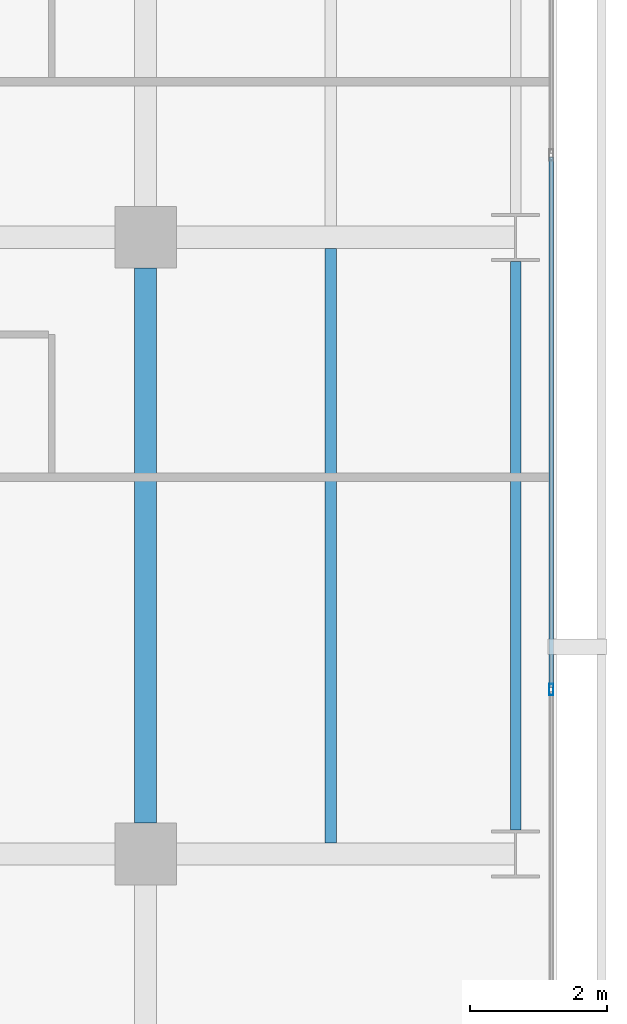
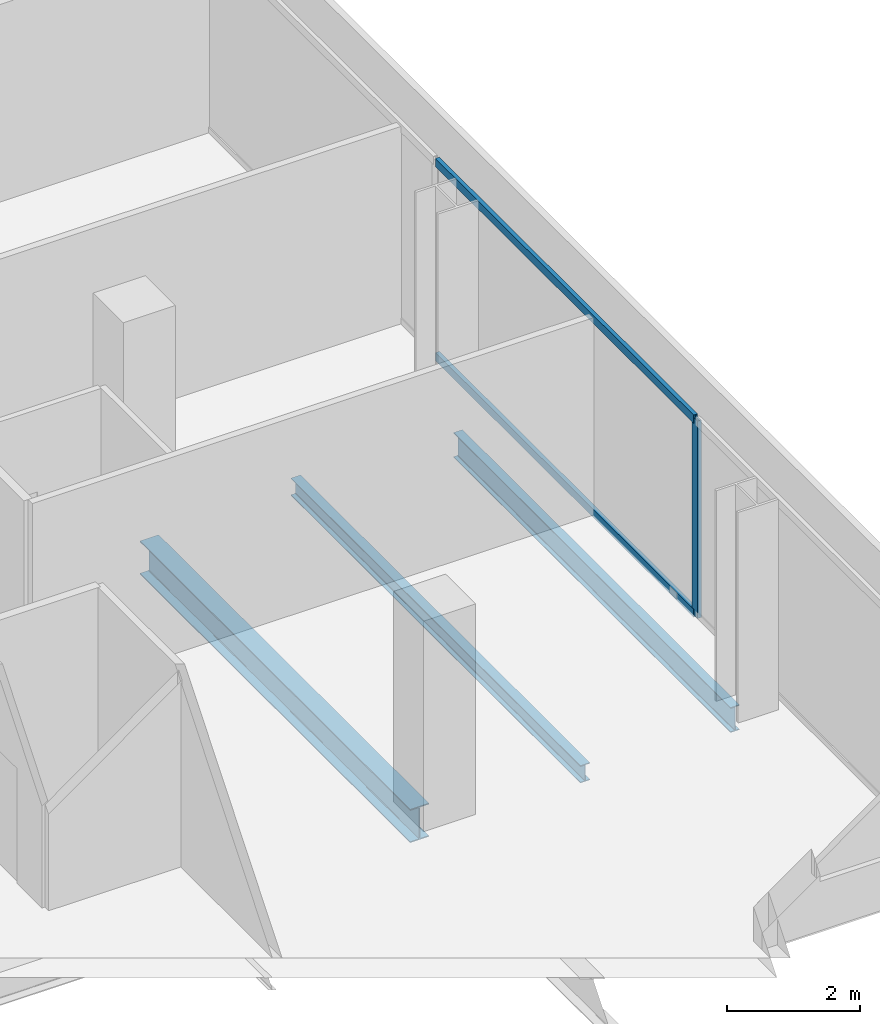
# One storey, part 17 of 40: 3 beams, 3 members, 1 element without a shape of its own.
"""IFC4 building model written with IfcOpenShell, lengths in metres."""

from ifc_helpers import new_model, si_unit, direction, frame, origin, origin_2d, place, context, subcontext, project, spatial, hollow_rectangle, i_section, extrude, material, layer, layer_set, material_profile, profile_set, type_object, element, aggregate, save


model = new_model("IFC4")

# Units and contexts
model_context = context("Model", 3, precision=1e-05, world=origin(), true_north=direction((0.0, 1.0)))
body_context = subcontext(model_context, "Body", "Model", "MODEL_VIEW")
ifc_project = project(units=[si_unit("LENGTHUNIT", "METRE"), si_unit("AREAUNIT", "SQUARE_METRE"), si_unit("VOLUMEUNIT", "CUBIC_METRE"), si_unit("PLANEANGLEUNIT", "RADIAN"), si_unit("MASSUNIT", "GRAM", prefix="KILO")], contexts=[model_context])

# Site, building, storey
site_placement = place(None, origin())
site = spatial("IfcSite", under=ifc_project, at=site_placement, CompositionType="ELEMENT")
building_placement = place(site_placement, origin())
building = spatial("IfcBuilding", under=site, at=building_placement, Name="Maruvema Waterfront Hotel and Observation Tower", CompositionType="ELEMENT")
storey_placement = place(building_placement, frame((0.0, 0.0, 96.25)))
storey = spatial("IfcBuildingStorey", under=building, at=storey_placement, Name="L23", CompositionType="ELEMENT", Elevation=96.25)

# Curtain wall, members
ifc_material_1 = material(Name="Anodised bronze aluminium and solar-control low-E IGU", Category="aluminium")
ifc_layer = layer(ifc_material_1, 0.159912109375, Name="Zone 1 Bronze Inner Thermal Curtain Wall System CW-02")
ifc_layer_set = layer_set([ifc_layer], Name="Anodised bronze aluminium and solar-control low-E IGU")
curtain_wall_type = type_object("IfcCurtainWallType", Name="Zone 1 Bronze Inner Thermal Curtain Wall System CW-02", PredefinedType="USERDEFINED", material=ifc_layer_set)
curtain_wall_placement = place(storey_placement, origin())
curtain_wall = element("IfcCurtainWall", 1, at=curtain_wall_placement, inside=storey, type_object=curtain_wall_type, Name="L23 Curtain Wall CW-L23-E", ObjectType="UNITISED CURTAIN WALL", PredefinedType="USERDEFINED")
ifc_material_2 = material(Name="Anodised architectural bronze aluminium", Category="aluminium")
ifc_material_profile_1 = material_profile(ifc_material_2, hollow_rectangle(XDim=0.070068359375, YDim=0.14990234375, WallThickness=0.00390625, at=origin_2d()), Name="ALU-T70x150")
ifc_profile_set_1 = profile_set([ifc_material_profile_1], Name="Anodised architectural bronze aluminium")
member_type_1 = type_object("IfcMemberType", Name="Curtain Wall Horizontal Transom ALU-T70x150", PredefinedType="USERDEFINED", material=ifc_profile_set_1)
member_1_placement = place(storey_placement, frame((64.719970703125, 11.429931640625, 0.030029296875), z_axis=(0.0, 1.0, 0.0), x_axis=(-1.0, 0.0, 0.0)))
member_1 = element("IfcMember", 2, at=member_1_placement, type_object=member_type_1, Name="CW-02 transom 2.1", ObjectType="TRANSOM", PredefinedType="USERDEFINED", context=body_context, shape_type="SweptSolid", body=[
    extrude(hollow_rectangle(XDim=0.070068359375, YDim=0.14990234375, WallThickness=0.00390625, at=origin_2d()), origin(), (0.0, 0.0, 1.0), 7.739990234375),
])
member_2_placement = place(storey_placement, frame((64.719970703125, 11.429931640625, 3.580078125), z_axis=(0.0, 1.0, 0.0), x_axis=(-1.0, 0.0, 0.0)))
member_2 = element("IfcMember", 3, at=member_2_placement, type_object=member_type_1, Name="CW-02 transom 2.2", ObjectType="TRANSOM", PredefinedType="USERDEFINED", context=body_context, shape_type="SweptSolid", body=[
    extrude(hollow_rectangle(XDim=0.070068359375, YDim=0.14990234375, WallThickness=0.00390625, at=origin_2d()), origin(), (0.0, 0.0, 1.0), 7.739990234375),
])
ifc_material_3 = material(Name="Anodised architectural bronze aluminium", Category="aluminium")
ifc_material_profile_2 = material_profile(ifc_material_3, hollow_rectangle(XDim=0.06494140625, YDim=0.1650390625, WallThickness=0.00390625, at=origin_2d()), Name="ALU-M65x165")
ifc_profile_set_2 = profile_set([ifc_material_profile_2], Name="Anodised architectural bronze aluminium")
member_type_2 = type_object("IfcMemberType", Name="Curtain Wall Primary Mullion ALU-M65x165", PredefinedType="MULLION", material=ifc_profile_set_2)
member_3_placement = place(storey_placement, frame((64.719970703125, 11.39990234375, 0.0), z_axis=(0.0, 0.0, 1.0), x_axis=(-1.0, 0.0, 0.0)))
member_3 = element("IfcMember", 4, at=member_3_placement, type_object=member_type_2, Name="CW-02 mullion 2", PredefinedType="MULLION", context=body_context, shape_type="SweptSolid", body=[
    extrude(hollow_rectangle(XDim=0.06494140625, YDim=0.1650390625, WallThickness=0.00390625, at=origin_2d()), origin(), (0.0, 0.0, 1.0), 3.610107421875),
])
aggregate(curtain_wall, [member_3, member_1, member_2])

# Beams
ifc_material_4 = material(Name="Steel ASTM A572 Grade 50", Category="steel")
ifc_material_profile_3 = material_profile(ifc_material_4, i_section(OverallWidth=0.153076171875, OverallDepth=0.455078125, WebThickness=0.008056640625, FlangeThickness=0.01318359375, FilletRadius=0.014892578125, at=origin_2d()), Name="W460x60.0")
ifc_profile_set_3 = profile_set([ifc_material_profile_3], Name="Steel ASTM A572 Grade 50")
beam_type_1 = type_object("IfcBeamType", Name="Perimeter Spandrel Beam W460x60.0", PredefinedType="SPANDREL", material=ifc_profile_set_3)
beam_1_placement = place(storey_placement, frame((64.199951171875, 9.35009765625, -0.467529296875), z_axis=(0.0, 1.0, 0.0), x_axis=(-1.0, 0.0, 0.0)))
element("IfcBeam", 5, at=beam_1_placement, inside=storey, type_object=beam_type_1, Name="L23 Floor Girder NS-33", PredefinedType="SPANDREL", context=body_context, shape_type="SweptSolid", body=[
    extrude(i_section(OverallWidth=0.153076171875, OverallDepth=0.455078125, WebThickness=0.008056640625, FlangeThickness=0.01318359375, FilletRadius=0.014892578125, at=origin_2d()), origin(), (0.0, 0.0, 1.0), 8.2998046875),
])
ifc_material_5 = material(Name="Steel ASTM A572 Grade 50", Category="steel")
ifc_material_profile_4 = material_profile(ifc_material_5, i_section(OverallWidth=0.323974609375, OverallDepth=0.611083984375, WebThickness=0.0126953125, FlangeThickness=0.01904296875, FilletRadius=0.01806640625, at=origin_2d()), Name="W610x155.0")
ifc_profile_set_4 = profile_set([ifc_material_profile_4], Name="Steel ASTM A572 Grade 50")
beam_type_2 = type_object("IfcBeamType", Name="Primary Floor Girder W610x155.0", PredefinedType="BEAM", material=ifc_profile_set_4)
beam_2_placement = place(storey_placement, frame((58.800048828125, 9.449951171875, -0.54541015625), z_axis=(0.0, 1.0, 0.0), x_axis=(-1.0, 0.0, 0.0)))
element("IfcBeam", 6, at=beam_2_placement, inside=storey, type_object=beam_type_2, Name="L23 Floor Girder NS-28", PredefinedType="BEAM", context=body_context, shape_type="SweptSolid", body=[
    extrude(i_section(OverallWidth=0.323974609375, OverallDepth=0.611083984375, WebThickness=0.0126953125, FlangeThickness=0.01904296875, FilletRadius=0.01806640625, at=origin_2d()), origin(), (0.0, 0.0, 1.0), 8.10009765625),
])
ifc_material_6 = material(Name="Steel ASTM A572 Grade 50", Category="steel")
ifc_material_profile_5 = material_profile(ifc_material_6, i_section(OverallWidth=0.1669921875, OverallDepth=0.31689453125, WebThickness=0.007568359375, FlangeThickness=0.01318359375, FilletRadius=0.012939453125, at=origin_2d()), Name="W310x52.0")
ifc_profile_set_5 = profile_set([ifc_material_profile_5], Name="Steel ASTM A572 Grade 50")
beam_type_3 = type_object("IfcBeamType", Name="Secondary Floor Joist W310x52.0", PredefinedType="JOIST", material=ifc_profile_set_5)
beam_3_placement = place(storey_placement, frame((61.5, 9.162109375, -0.3984375), z_axis=(0.0, 1.0, 0.0), x_axis=(-1.0, 0.0, 0.0)))
element("IfcBeam", 7, at=beam_3_placement, inside=storey, type_object=beam_type_3, Name="L23 Secondary Floor Joist JS-21", PredefinedType="JOIST", context=body_context, shape_type="SweptSolid", body=[
    extrude(i_section(OverallWidth=0.1669921875, OverallDepth=0.31689453125, WebThickness=0.007568359375, FlangeThickness=0.01318359375, FilletRadius=0.012939453125, at=origin_2d()), origin(), (0.0, 0.0, 1.0), 8.67578125),
])

save(model, "model.ifc")
